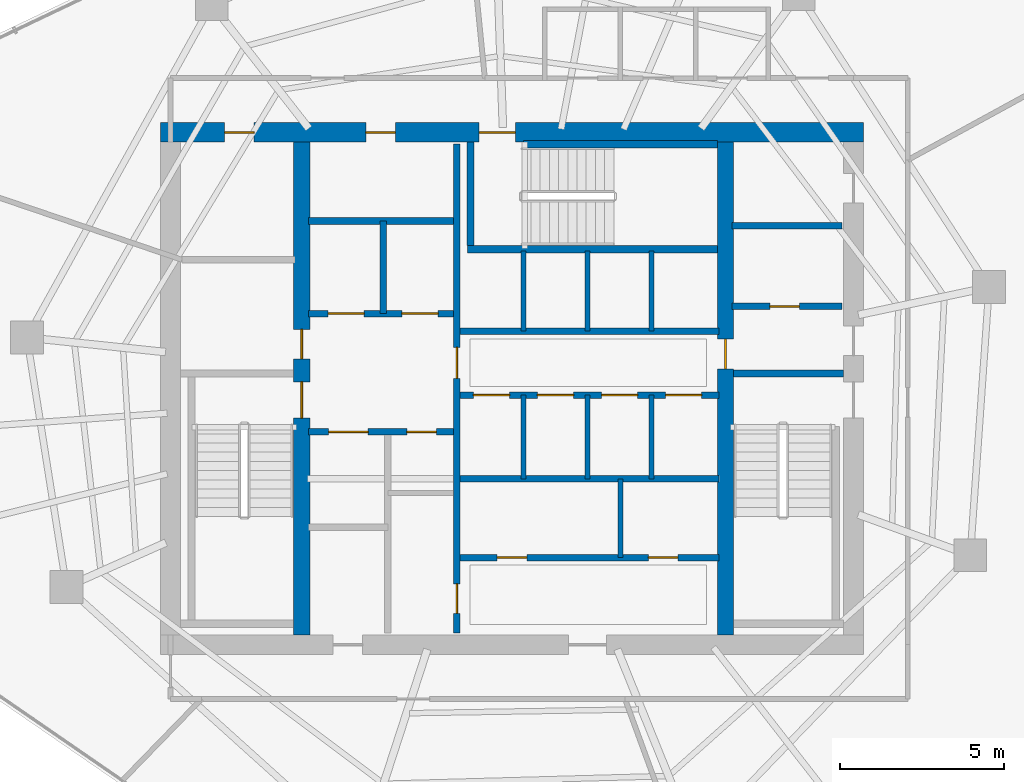
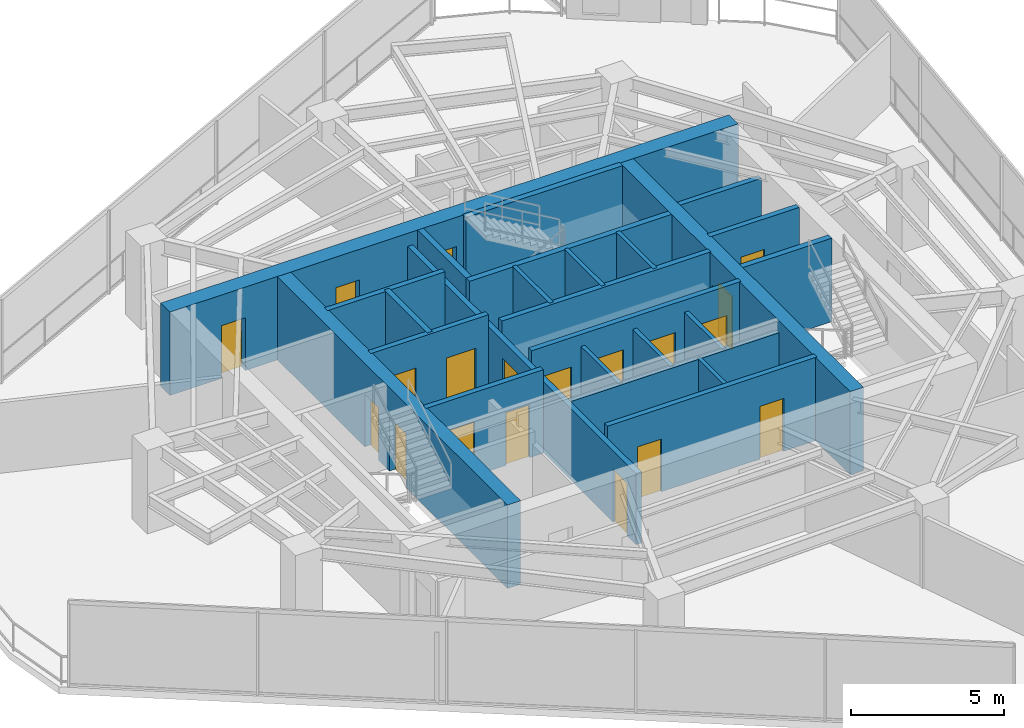
# One storey, part 17 of 21: 25 walls, 19 doors, 19 openings.
"""IFC4 building model written with IfcOpenShell, lengths in metres."""

from ifc_helpers import new_model, si_unit, direction, frame, frame_2d, origin, place, context, subcontext, project, spatial, rectangle, extrude, material, layer, layer_set, type_object, element, fill, save


model = new_model("IFC4")

# Units and contexts
model_context = context("Model", 3, precision=1e-05, world=origin(), true_north=direction((0.0, 1.0)))
body_context = subcontext(model_context, "Body", "Model", "MODEL_VIEW")
ifc_project = project(units=[si_unit("LENGTHUNIT", "METRE"), si_unit("AREAUNIT", "SQUARE_METRE"), si_unit("VOLUMEUNIT", "CUBIC_METRE"), si_unit("PLANEANGLEUNIT", "RADIAN"), si_unit("MASSUNIT", "GRAM", prefix="KILO")], contexts=[model_context])

# Site, building, storey
site_placement = place(None, origin())
site = spatial("IfcSite", under=ifc_project, at=site_placement, CompositionType="ELEMENT")
building_placement = place(site_placement, origin())
building = spatial("IfcBuilding", under=site, at=building_placement, Name="Qarnah Convention Tower", CompositionType="ELEMENT")
storey_placement = place(building_placement, frame((0.0, 0.0, 161.699951171875)))
storey = spatial("IfcBuildingStorey", under=building, at=storey_placement, Name="L43", CompositionType="ELEMENT", Elevation=161.699951171875)

# Wall, openings, doors
ifc_material_1 = material(Name="Concrete C60/75", Category="concrete")
ifc_layer_1 = layer(ifc_material_1, 0.60009765625)
ifc_layer_set_1 = layer_set([ifc_layer_1], Name="Concrete C60/75")
wall_type_1 = type_object("IfcWallType", Name="WL-CORE-600", PredefinedType="SHEAR", material=ifc_layer_set_1)
wall_1_placement = place(storey_placement, frame((26.5, 34.199951171875, 0.0), z_axis=(0.0, 0.0, 1.0), x_axis=(1.0, 0.0, 0.0)))
wall_1 = element("IfcWall", 1, at=wall_1_placement, inside=storey, type_object=wall_type_1, Name="L43 core north shear wall", PredefinedType="SHEAR", context=body_context, shape_type="SweptSolid", body=[
    extrude(rectangle(XDim=21.39990234375, YDim=0.60009765625, at=frame_2d((10.699951171875, 0.0))), origin(), (0.0, 0.0, 1.0), 3.320068359375),
])
opening_1_placement = place(wall_1_placement, frame((9.699951171875, 0.0, 0.0)))
opening_1 = element("IfcOpeningElement", 2, at=opening_1_placement, cuts=wall_1, Name="Opening D-4303", PredefinedType="OPENING", context=body_context, shape_type="SweptSolid", body=[
    extrude(rectangle(XDim=1.10009765625, YDim=2.14990234375, at=frame_2d((0.550048828125, 1.074951171875))), frame((0.0, 0.31005859375, 0.0), z_axis=(0.0, -1.0, 0.0), x_axis=(1.0, 0.0, 0.0)), (0.0, 0.0, 1.0), 0.6201171875),
])
opening_2_placement = place(wall_1_placement, frame((1.949951171875, 0.0, 0.0)))
opening_2 = element("IfcOpeningElement", 3, at=opening_2_placement, cuts=wall_1, Name="Opening D-4309", PredefinedType="OPENING", context=body_context, shape_type="SweptSolid", body=[
    extrude(rectangle(XDim=0.89990234375, YDim=2.10009765625, at=frame_2d((0.449951171875, 1.050048828125))), frame((0.0, 0.31005859375, 0.0), z_axis=(0.0, -1.0, 0.0), x_axis=(1.0, 0.0, 0.0)), (0.0, 0.0, 1.0), 0.6201171875),
])
opening_3_placement = place(wall_1_placement, frame((6.25, 0.0, 0.0)))
opening_3 = element("IfcOpeningElement", 4, at=opening_3_placement, cuts=wall_1, Name="Opening D-4310", PredefinedType="OPENING", context=body_context, shape_type="SweptSolid", body=[
    extrude(rectangle(XDim=0.89990234375, YDim=2.10009765625, at=frame_2d((0.449951171875, 1.050048828125))), frame((0.0, 0.31005859375, 0.0), z_axis=(0.0, -1.0, 0.0), x_axis=(1.0, 0.0, 0.0)), (0.0, 0.0, 1.0), 0.6201171875),
])
ifc_material_2 = material(Name="Structural steel S355JR", Category="steel")
door_type_1 = type_object("IfcDoorType", Name="DT-RISER-900", OperationType="NOTDEFINED", PredefinedType="DOOR", material=ifc_material_2)
door_1_placement = place(opening_2_placement, origin())
door_1 = element("IfcDoor", 5, at=door_1_placement, inside=storey, type_object=door_type_1, Name="Door D-4309", OperationType="SINGLE_SWING_RIGHT", OverallHeight=2.10009765625, OverallWidth=0.89990234375, PredefinedType="DOOR", context=body_context, shape_type="SweptSolid", body=[
    extrude(rectangle(XDim=0.89990234375, YDim=2.10009765625, at=frame_2d((0.449951171875, 1.050048828125))), frame((0.0, 0.02490234375, 0.0), z_axis=(0.0, -1.0, 0.0), x_axis=(1.0, 0.0, 0.0)), (0.0, 0.0, 1.0), 0.050048828125),
])
fill(opening_2, door_1)
door_2_placement = place(opening_3_placement, origin())
door_2 = element("IfcDoor", 6, at=door_2_placement, inside=storey, type_object=door_type_1, Name="Door D-4310", OperationType="SINGLE_SWING_LEFT", OverallHeight=2.10009765625, OverallWidth=0.89990234375, PredefinedType="DOOR", context=body_context, shape_type="SweptSolid", body=[
    extrude(rectangle(XDim=0.89990234375, YDim=2.10009765625, at=frame_2d((0.449951171875, 1.050048828125))), frame((0.0, 0.02490234375, 0.0), z_axis=(0.0, -1.0, 0.0), x_axis=(1.0, 0.0, 0.0)), (0.0, 0.0, 1.0), 0.050048828125),
])
fill(opening_3, door_2)
door_type_2 = type_object("IfcDoorType", Name="DT-STAIR-1100", OperationType="NOTDEFINED", PredefinedType="DOOR", material=ifc_material_2)
door_3_placement = place(opening_1_placement, origin())
door_3 = element("IfcDoor", 7, at=door_3_placement, inside=storey, type_object=door_type_2, Name="Door D-4303", OperationType="SINGLE_SWING_RIGHT", OverallHeight=2.14990234375, OverallWidth=1.10009765625, PredefinedType="DOOR", context=body_context, shape_type="SweptSolid", body=[
    extrude(rectangle(XDim=1.10009765625, YDim=2.14990234375, at=frame_2d((0.550048828125, 1.074951171875))), frame((0.0, 0.02490234375, 0.0), z_axis=(0.0, -1.0, 0.0), x_axis=(1.0, 0.0, 0.0)), (0.0, 0.0, 1.0), 0.050048828125),
])
fill(opening_1, door_3)

ifc_layer_2 = layer(ifc_material_1, 0.5)
ifc_layer_set_2 = layer_set([ifc_layer_2], Name="Concrete C60/75")
wall_type_2 = type_object("IfcWallType", Name="WL-CORE-INT-400", PredefinedType="SHEAR", material=ifc_layer_set_2)
wall_2_placement = place(storey_placement, frame((30.800048828125, 18.89990234375, 0.0), z_axis=(0.0, 0.0, 1.0), x_axis=(0.0, 1.0, 0.0)))
wall_2 = element("IfcWall", 8, at=wall_2_placement, inside=storey, type_object=wall_type_2, Name="L43 core west spine shear wall", PredefinedType="SHEAR", context=body_context, shape_type="SweptSolid", body=[
    extrude(rectangle(XDim=15.0, YDim=0.5, at=frame_2d((7.5, 0.0))), origin(), (0.0, 0.0, 1.0), 3.320068359375),
])
opening_4_placement = place(wall_2_placement, frame((6.60009765625, 0.0, 0.0)))
opening_4 = element("IfcOpeningElement", 9, at=opening_4_placement, cuts=wall_2, Name="Opening D-4301", PredefinedType="OPENING", context=body_context, shape_type="SweptSolid", body=[
    extrude(rectangle(XDim=1.10009765625, YDim=2.14990234375, at=frame_2d((0.550048828125, 1.074951171875))), frame((0.0, 0.260009765625, 0.0), z_axis=(0.0, -1.0, 0.0), x_axis=(1.0, 0.0, 0.0)), (0.0, 0.0, 1.0), 0.52001953125),
])
opening_5_placement = place(wall_2_placement, frame((8.39990234375, 0.0, 0.0)))
opening_5 = element("IfcOpeningElement", 10, at=opening_5_placement, cuts=wall_2, Name="Opening D-4308", PredefinedType="OPENING", context=body_context, shape_type="SweptSolid", body=[
    extrude(rectangle(XDim=0.89990234375, YDim=2.10009765625, at=frame_2d((0.449951171875, 1.050048828125))), frame((0.0, 0.260009765625, 0.0), z_axis=(0.0, -1.0, 0.0), x_axis=(1.0, 0.0, 0.0)), (0.0, 0.0, 1.0), 0.52001953125),
])
door_4_placement = place(opening_5_placement, origin())
door_4 = element("IfcDoor", 11, at=door_4_placement, inside=storey, type_object=door_type_1, Name="Door D-4308", OperationType="SINGLE_SWING_LEFT", OverallHeight=2.10009765625, OverallWidth=0.89990234375, PredefinedType="DOOR", context=body_context, shape_type="SweptSolid", body=[
    extrude(rectangle(XDim=0.89990234375, YDim=2.10009765625, at=frame_2d((0.449951171875, 1.050048828125))), frame((0.0, 0.02490234375, 0.0), z_axis=(0.0, -1.0, 0.0), x_axis=(1.0, 0.0, 0.0)), (0.0, 0.0, 1.0), 0.050048828125),
])
fill(opening_5, door_4)
door_5_placement = place(opening_4_placement, origin())
door_5 = element("IfcDoor", 12, at=door_5_placement, inside=storey, type_object=door_type_2, Name="Door D-4301", OperationType="SINGLE_SWING_RIGHT", OverallHeight=2.14990234375, OverallWidth=1.10009765625, PredefinedType="DOOR", context=body_context, shape_type="SweptSolid", body=[
    extrude(rectangle(XDim=1.10009765625, YDim=2.14990234375, at=frame_2d((0.550048828125, 1.074951171875))), frame((0.0, 0.02490234375, 0.0), z_axis=(0.0, -1.0, 0.0), x_axis=(1.0, 0.0, 0.0)), (0.0, 0.0, 1.0), 0.050048828125),
])
fill(opening_4, door_5)

# Wall, opening, door
wall_3_placement = place(storey_placement, frame((43.699951171875, 18.89990234375, 0.0), z_axis=(0.0, 0.0, 1.0), x_axis=(0.0, 1.0, 0.0)))
wall_3 = element("IfcWall", 13, at=wall_3_placement, inside=storey, type_object=wall_type_2, Name="L43 core east spine shear wall", PredefinedType="SHEAR", context=body_context, shape_type="SweptSolid", body=[
    extrude(rectangle(XDim=15.0, YDim=0.5, at=frame_2d((7.5, 0.0))), origin(), (0.0, 0.0, 1.0), 3.320068359375),
])
opening_6_placement = place(wall_3_placement, frame((8.10009765625, 0.0, 0.0)))
opening_6 = element("IfcOpeningElement", 14, at=opening_6_placement, cuts=wall_3, Name="Opening D-4305", PredefinedType="OPENING", context=body_context, shape_type="SweptSolid", body=[
    extrude(rectangle(XDim=0.89990234375, YDim=2.10009765625, at=frame_2d((0.449951171875, 1.050048828125))), frame((0.0, 0.260009765625, 0.0), z_axis=(0.0, -1.0, 0.0), x_axis=(1.0, 0.0, 0.0)), (0.0, 0.0, 1.0), 0.52001953125),
])
door_6_placement = place(opening_6_placement, origin())
door_6 = element("IfcDoor", 15, at=door_6_placement, inside=storey, type_object=door_type_1, Name="Door D-4305", OperationType="SINGLE_SWING_RIGHT", OverallHeight=2.10009765625, OverallWidth=0.89990234375, PredefinedType="DOOR", context=body_context, shape_type="SweptSolid", body=[
    extrude(rectangle(XDim=0.89990234375, YDim=2.10009765625, at=frame_2d((0.449951171875, 1.050048828125))), frame((0.0, 0.02490234375, 0.0), z_axis=(0.0, -1.0, 0.0), x_axis=(1.0, 0.0, 0.0)), (0.0, 0.0, 1.0), 0.050048828125),
])
fill(opening_6, door_6)

ifc_material_3 = material(Name="Concrete C45/55", Category="concrete")
ifc_layer_3 = layer(ifc_material_3, 0.199951171875)
ifc_layer_set_3 = layer_set([ifc_layer_3], Name="Concrete C45/55")
wall_type_3 = type_object("IfcWallType", Name="WL-CORE-PART-200", PredefinedType="SOLIDWALL", material=ifc_layer_set_3)
wall_4_placement = place(storey_placement, frame((43.89990234375, 28.89990234375, 0.0), z_axis=(0.0, 0.0, 1.0), x_axis=(1.0, 0.0, 0.0)))
wall_4 = element("IfcWall", 16, at=wall_4_placement, inside=storey, type_object=wall_type_3, Name="L43 interior wall IW-L43-EVSTN", PredefinedType="SOLIDWALL", context=body_context, shape_type="SweptSolid", body=[
    extrude(rectangle(XDim=3.35009765625, YDim=0.199951171875, at=frame_2d((1.675048828125, 0.0))), origin(), (0.0, 0.0, 1.0), 3.320068359375),
])
opening_7_placement = place(wall_4_placement, frame((1.14990234375, 0.0, 0.0)))
opening_7 = element("IfcOpeningElement", 17, at=opening_7_placement, cuts=wall_4, Name="Opening D-4311", PredefinedType="OPENING", context=body_context, shape_type="SweptSolid", body=[
    extrude(rectangle(XDim=0.89990234375, YDim=2.10009765625, at=frame_2d((0.449951171875, 1.050048828125))), frame((0.0, 0.10986328125, 0.0), z_axis=(0.0, -1.0, 0.0), x_axis=(1.0, 0.0, 0.0)), (0.0, 0.0, 1.0), 0.219970703125),
])
door_7_placement = place(opening_7_placement, origin())
door_7 = element("IfcDoor", 18, at=door_7_placement, inside=storey, type_object=door_type_1, Name="Door D-4311", OperationType="SINGLE_SWING_RIGHT", OverallHeight=2.10009765625, OverallWidth=0.89990234375, PredefinedType="DOOR", context=body_context, shape_type="SweptSolid", body=[
    extrude(rectangle(XDim=0.89990234375, YDim=2.10009765625, at=frame_2d((0.449951171875, 1.050048828125))), frame((0.0, 0.02490234375, 0.0), z_axis=(0.0, -1.0, 0.0), x_axis=(1.0, 0.0, 0.0)), (0.0, 0.0, 1.0), 0.050048828125),
])
fill(opening_7, door_7)

# Wall
wall_5_placement = place(storey_placement, frame((43.89990234375, 31.35009765625, 0.0), z_axis=(0.0, 0.0, 1.0), x_axis=(1.0, 0.0, 0.0)))
element("IfcWall", 19, at=wall_5_placement, inside=storey, type_object=wall_type_3, Name="L43 interior wall IW-L43-WTRN", PredefinedType="SOLIDWALL", context=body_context, shape_type="SweptSolid", body=[
    extrude(rectangle(XDim=3.35009765625, YDim=0.199951171875, at=frame_2d((1.675048828125, 0.0))), origin(), (0.0, 0.0, 1.0), 2.9931640625),
])

# Wall, openings, doors
wall_6_placement = place(storey_placement, frame((35.52001953125, 18.949951171875, 0.0), z_axis=(0.0, 0.0, 1.0), x_axis=(0.0, 1.0, 0.0)))
wall_6 = element("IfcWall", 20, at=wall_6_placement, inside=storey, type_object=wall_type_3, Name="L43 interior wall IW-L43-CSP", PredefinedType="SOLIDWALL", context=body_context, shape_type="SweptSolid", body=[
    extrude(rectangle(XDim=14.900146484375, YDim=0.199951171875, at=frame_2d((7.4501953125, 0.0))), origin(), (0.0, 0.0, 1.0), 2.841064453125),
])
opening_8_placement = place(wall_6_placement, frame((7.7548828125, 0.0, 0.0)))
opening_8 = element("IfcOpeningElement", 21, at=opening_8_placement, cuts=wall_6, Name="Opening D-4304", PredefinedType="OPENING", context=body_context, shape_type="SweptSolid", body=[
    extrude(rectangle(XDim=0.949951171875, YDim=2.14990234375, at=frame_2d((0.47509765625, 1.074951171875))), frame((0.0, 0.10986328125, 0.0), z_axis=(0.0, -1.0, 0.0), x_axis=(1.0, 0.0, 0.0)), (0.0, 0.0, 1.0), 0.219970703125),
])
opening_9_placement = place(wall_6_placement, frame((0.60009765625, 0.0, 0.0)))
opening_9 = element("IfcOpeningElement", 22, at=opening_9_placement, cuts=wall_6, Name="Opening D-4314", PredefinedType="OPENING", context=body_context, shape_type="SweptSolid", body=[
    extrude(rectangle(XDim=0.89990234375, YDim=2.10009765625, at=frame_2d((0.449951171875, 1.050048828125))), frame((0.0, 0.10986328125, 0.0), z_axis=(0.0, -1.0, 0.0), x_axis=(1.0, 0.0, 0.0)), (0.0, 0.0, 1.0), 0.219970703125),
])
ifc_material_4 = material(Name="Oak timber veneer", Category="wood")
door_type_3 = type_object("IfcDoorType", Name="DT-HOTEL-950", OperationType="NOTDEFINED", PredefinedType="DOOR", material=ifc_material_4)
door_8_placement = place(opening_8_placement, origin())
door_8 = element("IfcDoor", 23, at=door_8_placement, inside=storey, type_object=door_type_3, Name="Door D-4304", OperationType="SINGLE_SWING_LEFT", OverallHeight=2.14990234375, OverallWidth=0.949951171875, PredefinedType="DOOR", context=body_context, shape_type="SweptSolid", body=[
    extrude(rectangle(XDim=0.949951171875, YDim=2.14990234375, at=frame_2d((0.47509765625, 1.074951171875))), frame((0.0, 0.02490234375, 0.0), z_axis=(0.0, -1.0, 0.0), x_axis=(1.0, 0.0, 0.0)), (0.0, 0.0, 1.0), 0.050048828125),
])
fill(opening_8, door_8)
door_9_placement = place(opening_9_placement, origin())
door_9 = element("IfcDoor", 24, at=door_9_placement, inside=storey, type_object=door_type_1, Name="Door D-4314", OperationType="SINGLE_SWING_LEFT", OverallHeight=2.10009765625, OverallWidth=0.89990234375, PredefinedType="DOOR", context=body_context, shape_type="SweptSolid", body=[
    extrude(rectangle(XDim=0.89990234375, YDim=2.10009765625, at=frame_2d((0.449951171875, 1.050048828125))), frame((0.0, 0.02490234375, 0.0), z_axis=(0.0, -1.0, 0.0), x_axis=(1.0, 0.0, 0.0)), (0.0, 0.0, 1.0), 0.050048828125),
])
fill(opening_9, door_9)

wall_7_placement = place(storey_placement, frame((31.0, 28.679931640625, 0.0), z_axis=(0.0, 0.0, 1.0), x_axis=(1.0, 0.0, 0.0)))
wall_7 = element("IfcWall", 25, at=wall_7_placement, inside=storey, type_object=wall_type_3, Name="L43 interior wall IW-L43-FFLS", PredefinedType="SOLIDWALL", context=body_context, shape_type="SweptSolid", body=[
    extrude(rectangle(XDim=4.419921875, YDim=0.199951171875, at=frame_2d((2.2099609375, 0.0))), origin(), (0.0, 0.0, 1.0), 3.320068359375),
])
opening_10_placement = place(wall_7_placement, frame((0.60009765625, 0.0, 0.0)))
opening_10 = element("IfcOpeningElement", 26, at=opening_10_placement, cuts=wall_7, Name="Opening LD-4301", PredefinedType="OPENING", context=body_context, shape_type="SweptSolid", body=[
    extrude(rectangle(XDim=1.10009765625, YDim=2.14990234375, at=frame_2d((0.550048828125, 1.074951171875))), frame((0.0, 0.10986328125, 0.0), z_axis=(0.0, -1.0, 0.0), x_axis=(1.0, 0.0, 0.0)), (0.0, 0.0, 1.0), 0.219970703125),
])
opening_11_placement = place(wall_7_placement, frame((2.85009765625, 0.0, 0.0)))
opening_11 = element("IfcOpeningElement", 27, at=opening_11_placement, cuts=wall_7, Name="Opening LD-4302", PredefinedType="OPENING", context=body_context, shape_type="SweptSolid", body=[
    extrude(rectangle(XDim=1.10009765625, YDim=2.14990234375, at=frame_2d((0.550048828125, 1.074951171875))), frame((0.0, 0.10986328125, 0.0), z_axis=(0.0, -1.0, 0.0), x_axis=(1.0, 0.0, 0.0)), (0.0, 0.0, 1.0), 0.219970703125),
])
door_type_4 = type_object("IfcDoorType", Name="DT-LIFT-1100", OperationType="SLIDING_TO_LEFT", PredefinedType="DOOR", material=ifc_material_2)
door_10_placement = place(opening_10_placement, origin())
door_10 = element("IfcDoor", 28, at=door_10_placement, inside=storey, type_object=door_type_4, Name="Door LD-4301", OperationType="SLIDING_TO_LEFT", OverallHeight=2.14990234375, OverallWidth=1.10009765625, PredefinedType="DOOR", context=body_context, shape_type="SweptSolid", body=[
    extrude(rectangle(XDim=1.10009765625, YDim=2.14990234375, at=frame_2d((0.550048828125, 1.074951171875))), frame((0.0, 0.02490234375, 0.0), z_axis=(0.0, -1.0, 0.0), x_axis=(1.0, 0.0, 0.0)), (0.0, 0.0, 1.0), 0.050048828125),
])
fill(opening_10, door_10)
door_11_placement = place(opening_11_placement, origin())
door_11 = element("IfcDoor", 29, at=door_11_placement, inside=storey, type_object=door_type_4, Name="Door LD-4302", OperationType="SLIDING_TO_LEFT", OverallHeight=2.14990234375, OverallWidth=1.10009765625, PredefinedType="DOOR", context=body_context, shape_type="SweptSolid", body=[
    extrude(rectangle(XDim=1.10009765625, YDim=2.14990234375, at=frame_2d((0.550048828125, 1.074951171875))), frame((0.0, 0.02490234375, 0.0), z_axis=(0.0, -1.0, 0.0), x_axis=(1.0, 0.0, 0.0)), (0.0, 0.0, 1.0), 0.050048828125),
])
fill(opening_11, door_11)

# Walls
wall_8_placement = place(storey_placement, frame((31.0, 31.5, 0.0), z_axis=(0.0, 0.0, 1.0), x_axis=(1.0, 0.0, 0.0)))
element("IfcWall", 30, at=wall_8_placement, inside=storey, type_object=wall_type_3, Name="L43 interior wall IW-L43-FFLN", PredefinedType="SOLIDWALL", context=body_context, shape_type="SweptSolid", body=[
    extrude(rectangle(XDim=4.419921875, YDim=0.199951171875, at=frame_2d((2.2099609375, 0.0))), origin(), (0.0, 0.0, 1.0), 3.320068359375),
])
wall_9_placement = place(storey_placement, frame((33.280029296875, 28.679931640625, 0.0), z_axis=(0.0, 0.0, 1.0), x_axis=(0.0, 1.0, 0.0)))
element("IfcWall", 31, at=wall_9_placement, inside=storey, type_object=wall_type_3, Name="L43 interior wall IW-L43-FFLM", PredefinedType="SOLIDWALL", context=body_context, shape_type="SweptSolid", body=[
    extrude(rectangle(XDim=2.820068359375, YDim=0.199951171875, at=frame_2d((1.41015625, 0.0))), origin(), (0.0, 0.0, 1.0), 3.320068359375),
])

# Wall, openings, doors
wall_10_placement = place(storey_placement, frame((31.0, 25.080078125, 0.0), z_axis=(0.0, 0.0, 1.0), x_axis=(1.0, 0.0, 0.0)))
wall_10 = element("IfcWall", 32, at=wall_10_placement, inside=storey, type_object=wall_type_3, Name="L43 interior wall IW-L43-FFLBS", PredefinedType="SOLIDWALL", context=body_context, shape_type="SweptSolid", body=[
    extrude(rectangle(XDim=4.419921875, YDim=0.199951171875, at=frame_2d((2.2099609375, 0.0))), origin(), (0.0, 0.0, 1.0), 3.320068359375),
])
opening_12_placement = place(wall_10_placement, frame((3.0, 0.0, 0.0)))
opening_12 = element("IfcOpeningElement", 33, at=opening_12_placement, cuts=wall_10, Name="Opening D-4315", PredefinedType="OPENING", context=body_context, shape_type="SweptSolid", body=[
    extrude(rectangle(XDim=0.89990234375, YDim=2.10009765625, at=frame_2d((0.449951171875, 1.050048828125))), frame((0.0, 0.10986328125, 0.0), z_axis=(0.0, -1.0, 0.0), x_axis=(1.0, 0.0, 0.0)), (0.0, 0.0, 1.0), 0.219970703125),
])
opening_13_placement = place(wall_10_placement, frame((0.6201171875, 0.0, 0.0)))
opening_13 = element("IfcOpeningElement", 34, at=opening_13_placement, cuts=wall_10, Name="Opening LD-4303", PredefinedType="OPENING", context=body_context, shape_type="SweptSolid", body=[
    extrude(rectangle(XDim=1.199951171875, YDim=2.14990234375, at=frame_2d((0.60009765625, 1.074951171875))), frame((0.0, 0.10986328125, 0.0), z_axis=(0.0, -1.0, 0.0), x_axis=(1.0, 0.0, 0.0)), (0.0, 0.0, 1.0), 0.219970703125),
])
door_type_5 = type_object("IfcDoorType", Name="DT-LIFT-1200", OperationType="SLIDING_TO_LEFT", PredefinedType="DOOR", material=ifc_material_2)
door_12_placement = place(opening_13_placement, origin())
door_12 = element("IfcDoor", 35, at=door_12_placement, inside=storey, type_object=door_type_5, Name="Door LD-4303", OperationType="SLIDING_TO_LEFT", OverallHeight=2.14990234375, OverallWidth=1.199951171875, PredefinedType="DOOR", context=body_context, shape_type="SweptSolid", body=[
    extrude(rectangle(XDim=1.199951171875, YDim=2.14990234375, at=frame_2d((0.60009765625, 1.074951171875))), frame((0.0, 0.02490234375, 0.0), z_axis=(0.0, -1.0, 0.0), x_axis=(1.0, 0.0, 0.0)), (0.0, 0.0, 1.0), 0.050048828125),
])
fill(opening_13, door_12)
door_13_placement = place(opening_12_placement, origin())
door_13 = element("IfcDoor", 36, at=door_13_placement, inside=storey, type_object=door_type_1, Name="Door D-4315", OperationType="SINGLE_SWING_RIGHT", OverallHeight=2.10009765625, OverallWidth=0.89990234375, PredefinedType="DOOR", context=body_context, shape_type="SweptSolid", body=[
    extrude(rectangle(XDim=0.89990234375, YDim=2.10009765625, at=frame_2d((0.449951171875, 1.050048828125))), frame((0.0, 0.02490234375, 0.0), z_axis=(0.0, -1.0, 0.0), x_axis=(1.0, 0.0, 0.0)), (0.0, 0.0, 1.0), 0.050048828125),
])
fill(opening_12, door_13)

# Wall
wall_11_placement = place(storey_placement, frame((35.6201171875, 28.14990234375, 0.0), z_axis=(0.0, 0.0, 1.0), x_axis=(1.0, 0.0, 0.0)))
element("IfcWall", 37, at=wall_11_placement, inside=storey, type_object=wall_type_3, Name="L43 interior wall IW-L43-PHS", PredefinedType="SOLIDWALL", context=body_context, shape_type="SweptSolid", body=[
    extrude(rectangle(XDim=7.8798828125, YDim=0.199951171875, at=frame_2d((3.93994140625, 0.0))), origin(), (0.0, 0.0, 1.0), 3.320068359375),
])

# Wall, openings, doors
wall_12_placement = place(storey_placement, frame((35.6201171875, 26.199951171875, 0.0), z_axis=(0.0, 0.0, 1.0), x_axis=(1.0, 0.0, 0.0)))
wall_12 = element("IfcWall", 38, at=wall_12_placement, inside=storey, type_object=wall_type_3, Name="L43 interior wall IW-L43-PMN", PredefinedType="SOLIDWALL", context=body_context, shape_type="SweptSolid", body=[
    extrude(rectangle(XDim=7.8798828125, YDim=0.199951171875, at=frame_2d((3.93994140625, 0.0))), origin(), (0.0, 0.0, 1.0), 3.320068359375),
])
opening_14_placement = place(wall_12_placement, frame((0.405029296875, 0.0, 0.0)))
opening_14 = element("IfcOpeningElement", 39, at=opening_14_placement, cuts=wall_12, Name="Opening LD-4304", PredefinedType="OPENING", context=body_context, shape_type="SweptSolid", body=[
    extrude(rectangle(XDim=1.10009765625, YDim=2.14990234375, at=frame_2d((0.550048828125, 1.074951171875))), frame((0.0, 0.10986328125, 0.0), z_axis=(0.0, -1.0, 0.0), x_axis=(1.0, 0.0, 0.0)), (0.0, 0.0, 1.0), 0.219970703125),
])
opening_15_placement = place(wall_12_placement, frame((2.35498046875, 0.0, 0.0)))
opening_15 = element("IfcOpeningElement", 40, at=opening_15_placement, cuts=wall_12, Name="Opening LD-4305", PredefinedType="OPENING", context=body_context, shape_type="SweptSolid", body=[
    extrude(rectangle(XDim=1.10009765625, YDim=2.14990234375, at=frame_2d((0.550048828125, 1.074951171875))), frame((0.0, 0.10986328125, 0.0), z_axis=(0.0, -1.0, 0.0), x_axis=(1.0, 0.0, 0.0)), (0.0, 0.0, 1.0), 0.219970703125),
])
opening_16_placement = place(wall_12_placement, frame((4.304931640625, 0.0, 0.0)))
opening_16 = element("IfcOpeningElement", 41, at=opening_16_placement, cuts=wall_12, Name="Opening LD-4306", PredefinedType="OPENING", context=body_context, shape_type="SweptSolid", body=[
    extrude(rectangle(XDim=1.10009765625, YDim=2.14990234375, at=frame_2d((0.550048828125, 1.074951171875))), frame((0.0, 0.10986328125, 0.0), z_axis=(0.0, -1.0, 0.0), x_axis=(1.0, 0.0, 0.0)), (0.0, 0.0, 1.0), 0.219970703125),
])
opening_17_placement = place(wall_12_placement, frame((6.2548828125, 0.0, 0.0)))
opening_17 = element("IfcOpeningElement", 42, at=opening_17_placement, cuts=wall_12, Name="Opening LD-4307", PredefinedType="OPENING", context=body_context, shape_type="SweptSolid", body=[
    extrude(rectangle(XDim=1.10009765625, YDim=2.14990234375, at=frame_2d((0.550048828125, 1.074951171875))), frame((0.0, 0.10986328125, 0.0), z_axis=(0.0, -1.0, 0.0), x_axis=(1.0, 0.0, 0.0)), (0.0, 0.0, 1.0), 0.219970703125),
])
door_14_placement = place(opening_14_placement, origin())
door_14 = element("IfcDoor", 43, at=door_14_placement, inside=storey, type_object=door_type_4, Name="Door LD-4304", OperationType="SLIDING_TO_LEFT", OverallHeight=2.14990234375, OverallWidth=1.10009765625, PredefinedType="DOOR", context=body_context, shape_type="SweptSolid", body=[
    extrude(rectangle(XDim=1.10009765625, YDim=2.14990234375, at=frame_2d((0.550048828125, 1.074951171875))), frame((0.0, 0.02490234375, 0.0), z_axis=(0.0, -1.0, 0.0), x_axis=(1.0, 0.0, 0.0)), (0.0, 0.0, 1.0), 0.050048828125),
])
fill(opening_14, door_14)
door_15_placement = place(opening_15_placement, origin())
door_15 = element("IfcDoor", 44, at=door_15_placement, inside=storey, type_object=door_type_4, Name="Door LD-4305", OperationType="SLIDING_TO_LEFT", OverallHeight=2.14990234375, OverallWidth=1.10009765625, PredefinedType="DOOR", context=body_context, shape_type="SweptSolid", body=[
    extrude(rectangle(XDim=1.10009765625, YDim=2.14990234375, at=frame_2d((0.550048828125, 1.074951171875))), frame((0.0, 0.02490234375, 0.0), z_axis=(0.0, -1.0, 0.0), x_axis=(1.0, 0.0, 0.0)), (0.0, 0.0, 1.0), 0.050048828125),
])
fill(opening_15, door_15)
door_16_placement = place(opening_16_placement, origin())
door_16 = element("IfcDoor", 45, at=door_16_placement, inside=storey, type_object=door_type_4, Name="Door LD-4306", OperationType="SLIDING_TO_LEFT", OverallHeight=2.14990234375, OverallWidth=1.10009765625, PredefinedType="DOOR", context=body_context, shape_type="SweptSolid", body=[
    extrude(rectangle(XDim=1.10009765625, YDim=2.14990234375, at=frame_2d((0.550048828125, 1.074951171875))), frame((0.0, 0.02490234375, 0.0), z_axis=(0.0, -1.0, 0.0), x_axis=(1.0, 0.0, 0.0)), (0.0, 0.0, 1.0), 0.050048828125),
])
fill(opening_16, door_16)
door_17_placement = place(opening_17_placement, origin())
door_17 = element("IfcDoor", 46, at=door_17_placement, inside=storey, type_object=door_type_4, Name="Door LD-4307", OperationType="SLIDING_TO_LEFT", OverallHeight=2.14990234375, OverallWidth=1.10009765625, PredefinedType="DOOR", context=body_context, shape_type="SweptSolid", body=[
    extrude(rectangle(XDim=1.10009765625, YDim=2.14990234375, at=frame_2d((0.550048828125, 1.074951171875))), frame((0.0, 0.02490234375, 0.0), z_axis=(0.0, -1.0, 0.0), x_axis=(1.0, 0.0, 0.0)), (0.0, 0.0, 1.0), 0.050048828125),
])
fill(opening_17, door_17)

# Wall
wall_13_placement = place(storey_placement, frame((35.6201171875, 23.64990234375, 0.0), z_axis=(0.0, 0.0, 1.0), x_axis=(1.0, 0.0, 0.0)))
element("IfcWall", 47, at=wall_13_placement, inside=storey, type_object=wall_type_3, Name="L43 interior wall IW-L43-PMPL", PredefinedType="SOLIDWALL", context=body_context, shape_type="SweptSolid", body=[
    extrude(rectangle(XDim=7.8798828125, YDim=0.199951171875, at=frame_2d((3.93994140625, 0.0))), origin(), (0.0, 0.0, 1.0), 2.841064453125),
])

# Wall, openings, doors
wall_14_placement = place(storey_placement, frame((35.6201171875, 21.25, 0.0), z_axis=(0.0, 0.0, 1.0), x_axis=(1.0, 0.0, 0.0)))
wall_14 = element("IfcWall", 48, at=wall_14_placement, inside=storey, type_object=wall_type_3, Name="L43 interior wall IW-L43-PLS", PredefinedType="SOLIDWALL", context=body_context, shape_type="SweptSolid", body=[
    extrude(rectangle(XDim=7.8798828125, YDim=0.199951171875, at=frame_2d((3.93994140625, 0.0))), origin(), (0.0, 0.0, 1.0), 3.320068359375),
])
opening_18_placement = place(wall_14_placement, frame((1.1298828125, 0.0, 0.0)))
opening_18 = element("IfcOpeningElement", 49, at=opening_18_placement, cuts=wall_14, Name="Opening D-4316", PredefinedType="OPENING", context=body_context, shape_type="SweptSolid", body=[
    extrude(rectangle(XDim=0.89990234375, YDim=2.10009765625, at=frame_2d((0.449951171875, 1.050048828125))), frame((0.0, 0.10986328125, 0.0), z_axis=(0.0, -1.0, 0.0), x_axis=(1.0, 0.0, 0.0)), (0.0, 0.0, 1.0), 0.219970703125),
])
opening_19_placement = place(wall_14_placement, frame((5.72998046875, 0.0, 0.0)))
opening_19 = element("IfcOpeningElement", 50, at=opening_19_placement, cuts=wall_14, Name="Opening D-4317", PredefinedType="OPENING", context=body_context, shape_type="SweptSolid", body=[
    extrude(rectangle(XDim=0.89990234375, YDim=2.10009765625, at=frame_2d((0.449951171875, 1.050048828125))), frame((0.0, 0.10986328125, 0.0), z_axis=(0.0, -1.0, 0.0), x_axis=(1.0, 0.0, 0.0)), (0.0, 0.0, 1.0), 0.219970703125),
])
door_18_placement = place(opening_18_placement, origin())
door_18 = element("IfcDoor", 51, at=door_18_placement, inside=storey, type_object=door_type_1, Name="Door D-4316", OperationType="SINGLE_SWING_LEFT", OverallHeight=2.10009765625, OverallWidth=0.89990234375, PredefinedType="DOOR", context=body_context, shape_type="SweptSolid", body=[
    extrude(rectangle(XDim=0.89990234375, YDim=2.10009765625, at=frame_2d((0.449951171875, 1.050048828125))), frame((0.0, 0.02490234375, 0.0), z_axis=(0.0, -1.0, 0.0), x_axis=(1.0, 0.0, 0.0)), (0.0, 0.0, 1.0), 0.050048828125),
])
fill(opening_18, door_18)
door_19_placement = place(opening_19_placement, origin())
door_19 = element("IfcDoor", 52, at=door_19_placement, inside=storey, type_object=door_type_1, Name="Door D-4317", OperationType="SINGLE_SWING_RIGHT", OverallHeight=2.10009765625, OverallWidth=0.89990234375, PredefinedType="DOOR", context=body_context, shape_type="SweptSolid", body=[
    extrude(rectangle(XDim=0.89990234375, YDim=2.10009765625, at=frame_2d((0.449951171875, 1.050048828125))), frame((0.0, 0.02490234375, 0.0), z_axis=(0.0, -1.0, 0.0), x_axis=(1.0, 0.0, 0.0)), (0.0, 0.0, 1.0), 0.050048828125),
])
fill(opening_19, door_19)

# Walls
ifc_layer_4 = layer(ifc_material_1, 0.219970703125)
ifc_layer_set_4 = layer_set([ifc_layer_4], Name="Concrete C60/75")
wall_type_4 = type_object("IfcWallType", Name="WL-CORE-STAIR-220", PredefinedType="SHEAR", material=ifc_layer_set_4)
wall_15_placement = place(storey_placement, frame((43.949951171875, 26.860107421875, 0.0), z_axis=(0.0, 0.0, 1.0), x_axis=(1.0, 0.0, 0.0)))
element("IfcWall", 53, at=wall_15_placement, inside=storey, type_object=wall_type_4, Name="L43 stair shaft shear wall SW-L43-ST2N", PredefinedType="SHEAR", context=body_context, shape_type="SweptSolid", body=[
    extrude(rectangle(XDim=3.35009765625, YDim=0.219970703125, at=frame_2d((1.675048828125, 0.0))), origin(), (0.0, 0.0, 1.0), 3.320068359375),
])
wall_16_placement = place(storey_placement, frame((35.840087890625, 30.639892578125, 0.0), z_axis=(0.0, 0.0, 1.0), x_axis=(1.0, 0.0, 0.0)))
element("IfcWall", 54, at=wall_16_placement, inside=storey, type_object=wall_type_4, Name="L43 stair shaft shear wall SW-L43-ST3S", PredefinedType="SHEAR", context=body_context, shape_type="SweptSolid", body=[
    extrude(rectangle(XDim=7.60986328125, YDim=0.219970703125, at=frame_2d((3.804931640625, 0.0))), origin(), (0.0, 0.0, 1.0), 3.320068359375),
])
wall_17_placement = place(storey_placement, frame((35.93994140625, 30.75, 0.0), z_axis=(0.0, 0.0, 1.0), x_axis=(0.0, 1.0, 0.0)))
element("IfcWall", 55, at=wall_17_placement, inside=storey, type_object=wall_type_4, Name="L43 stair shaft shear wall SW-L43-ST3W", PredefinedType="SHEAR", context=body_context, shape_type="SweptSolid", body=[
    extrude(rectangle(XDim=3.14990234375, YDim=0.219970703125, at=frame_2d((1.574951171875, 0.0))), origin(), (0.0, 0.0, 1.0), 3.320068359375),
])
wall_18_placement = place(storey_placement, frame((37.550048828125, 33.840087890625, 0.0), z_axis=(0.0, 0.0, 1.0), x_axis=(1.0, 0.0, 0.0)))
element("IfcWall", 56, at=wall_18_placement, inside=storey, type_object=wall_type_4, Name="L43 stair shaft shear wall SW-L43-ST3N", PredefinedType="SHEAR", context=body_context, shape_type="SweptSolid", body=[
    extrude(rectangle(XDim=5.89990234375, YDim=0.219970703125, at=frame_2d((2.949951171875, 0.0))), origin(), (0.0, 0.0, 1.0), 3.320068359375),
])
ifc_material_5 = material(Name="Gypsum partition board")
ifc_layer_5 = layer(ifc_material_5, 0.14990234375)
ifc_layer_set_5 = layer_set([ifc_layer_5], Name="Gypsum partition board")
wall_type_5 = type_object("IfcWallType", Name="WL-SUITE-150", PredefinedType="PARTITIONING", material=ifc_layer_set_5)
for number, where, z_axis, x_axis, name in (
    (57, (37.550048828125, 28.14990234375, 0.0), (0.0, 0.0, 1.0), (0.0, 1.0, 0.0), "L43 interior wall IW-L43-PHD1"),
    (58, (39.5, 28.14990234375, 0.0), (0.0, 0.0, 1.0), (0.0, 1.0, 0.0), "L43 interior wall IW-L43-PHD2"),
    (59, (41.449951171875, 28.14990234375, 0.0), (0.0, 0.0, 1.0), (0.0, 1.0, 0.0), "L43 interior wall IW-L43-PHD3"),
):
    element("IfcWall", number, at=place(storey_placement, frame(where, z_axis=z_axis, x_axis=x_axis)), inside=storey, type_object=wall_type_5, Name=name, PredefinedType="PARTITIONING", context=body_context, shape_type="SweptSolid", body=[
        extrude(rectangle(XDim=2.43017578125, YDim=0.14990234375, at=frame_2d((1.215087890625, 0.0))), origin(), (0.0, 0.0, 1.0), 3.320068359375),
    ])
for number, where, z_axis, x_axis, name in (
    (60, (37.550048828125, 23.64990234375, 0.0), (0.0, 0.0, 1.0), (0.0, 1.0, 0.0), "L43 interior wall IW-L43-PMD1"),
    (61, (39.5, 23.64990234375, 0.0), (0.0, 0.0, 1.0), (0.0, 1.0, 0.0), "L43 interior wall IW-L43-PMD2"),
    (62, (41.449951171875, 23.64990234375, 0.0), (0.0, 0.0, 1.0), (0.0, 1.0, 0.0), "L43 interior wall IW-L43-PMD3"),
):
    element("IfcWall", number, at=place(storey_placement, frame(where, z_axis=z_axis, x_axis=x_axis)), inside=storey, type_object=wall_type_5, Name=name, PredefinedType="PARTITIONING", context=body_context, shape_type="SweptSolid", body=[
        extrude(rectangle(XDim=2.550048828125, YDim=0.14990234375, at=frame_2d((1.27490234375, 0.0))), origin(), (0.0, 0.0, 1.0), 2.841064453125),
    ])
wall_19_placement = place(storey_placement, frame((40.5, 21.25, 0.0), z_axis=(0.0, 0.0, 1.0), x_axis=(0.0, 1.0, 0.0)))
element("IfcWall", 63, at=wall_19_placement, inside=storey, type_object=wall_type_5, Name="L43 interior wall IW-L43-PLFD", PredefinedType="PARTITIONING", context=body_context, shape_type="SweptSolid", body=[
    extrude(rectangle(XDim=2.39990234375, YDim=0.14990234375, at=frame_2d((1.199951171875, 0.0))), origin(), (0.0, 0.0, 1.0), 2.841064453125),
])

save(model, "model.ifc")
